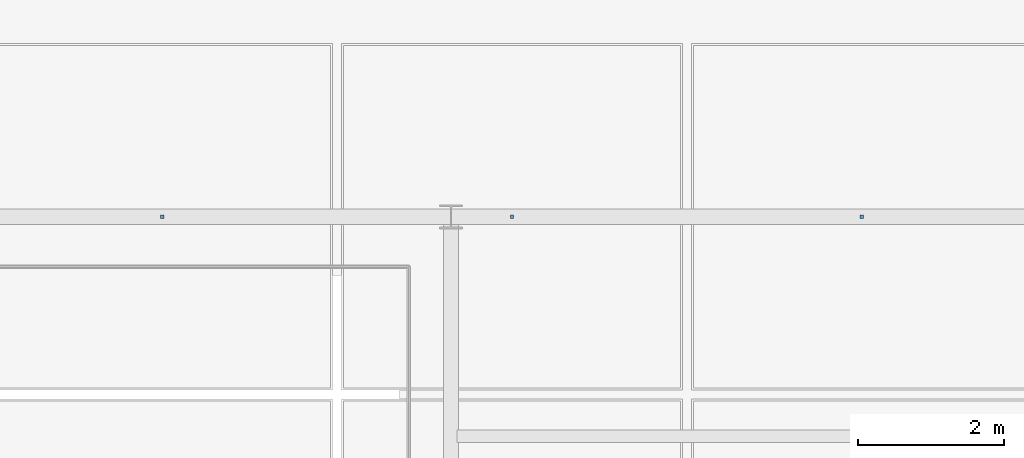
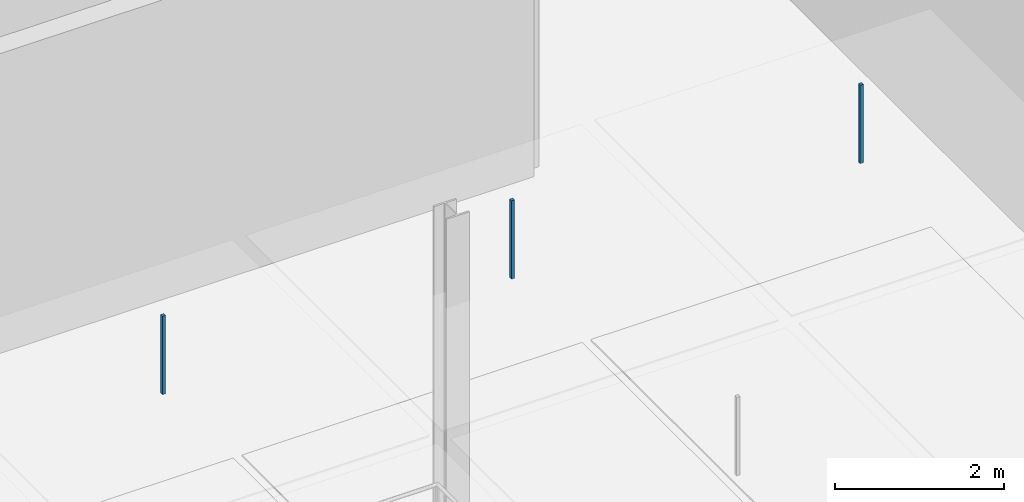
# One storey, part 55 of 66: 3 discrete accessories.
"""IFC4 building model written with IfcOpenShell, lengths in metres."""

from ifc_helpers import new_model, si_unit, direction, frame, origin, origin_2d, place, context, subcontext, project, spatial, rectangle, extrude, material, type_object, element, save


model = new_model("IFC4")

# Units and contexts
model_context = context("Model", 3, precision=1e-05, world=origin(), true_north=direction((0.0, 1.0)))
body_context = subcontext(model_context, "Body", "Model", "MODEL_VIEW")
ifc_project = project(units=[si_unit("LENGTHUNIT", "METRE"), si_unit("AREAUNIT", "SQUARE_METRE"), si_unit("VOLUMEUNIT", "CUBIC_METRE"), si_unit("PLANEANGLEUNIT", "RADIAN"), si_unit("MASSUNIT", "GRAM", prefix="KILO"), si_unit("THERMODYNAMICTEMPERATUREUNIT", "KELVIN"), si_unit("POWERUNIT", "WATT")], contexts=[model_context])

# Site, building, storey
site_placement = place(None, origin())
site = spatial("IfcSite", under=ifc_project, at=site_placement, CompositionType="ELEMENT")
building_placement = place(site_placement, origin())
building = spatial("IfcBuilding", under=site, at=building_placement, Name="Tallowbark Science Centre", CompositionType="ELEMENT")
storey_placement = place(building_placement, frame((0.0, 0.0, 18.89990234375)))
storey = spatial("IfcBuildingStorey", under=building, at=storey_placement, Name="L04", CompositionType="ELEMENT", Elevation=18.89990234375)

# Discrete accessories
ifc_material = material(Name="Galvanised Steel Grade C350L0 (350 MPa)", Category="steel")
discrete_accessory_type = type_object("IfcDiscreteAccessoryType", Name="ACC-CLG-HNG", PredefinedType="BRACKET", material=ifc_material)
for number, where, z_axis, x_axis, name in (
    (1, (90.5556640625, 22.5, 3.20947265625), (0.0, 0.0, 1.0), (1.0, 0.0, 0.0), "Ceiling Hanger Bracket L04-1107"),
    (2, (95.333251953125, 22.5, 3.20947265625), (0.0, 0.0, 1.0), (1.0, 0.0, 0.0), "Ceiling Hanger Bracket L04-1111"),
    (3, (100.111083984375, 22.5, 3.20947265625), (0.0, 0.0, 1.0), (1.0, 0.0, 0.0), "Ceiling Hanger Bracket L04-1115"),
):
    element("IfcDiscreteAccessory", number, at=place(storey_placement, frame(where, z_axis=z_axis, x_axis=x_axis)), inside=storey, type_object=discrete_accessory_type, Name=name, PredefinedType="BRACKET", context=body_context, shape_type="SweptSolid", body=[
        extrude(rectangle(XDim=0.044921875, YDim=0.044921875, at=origin_2d()), origin(), (0.0, 0.0, 1.0), 1.133544921875),
    ])

save(model, "model.ifc")
